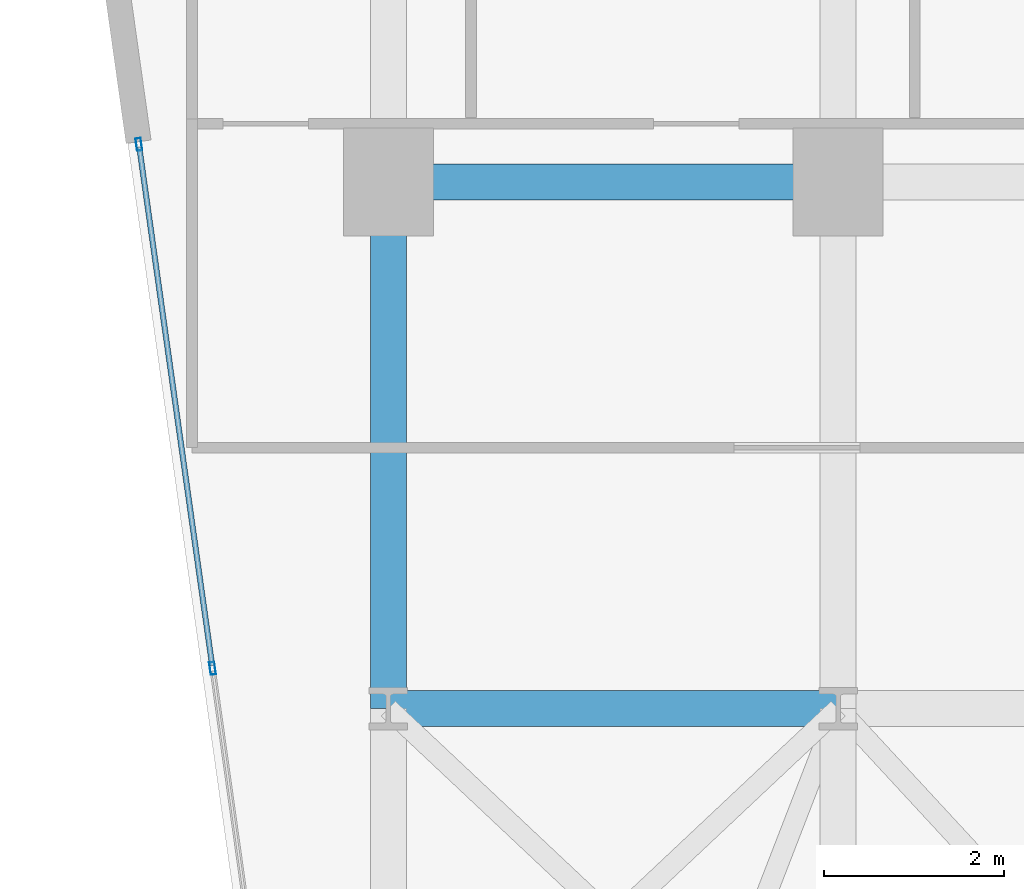
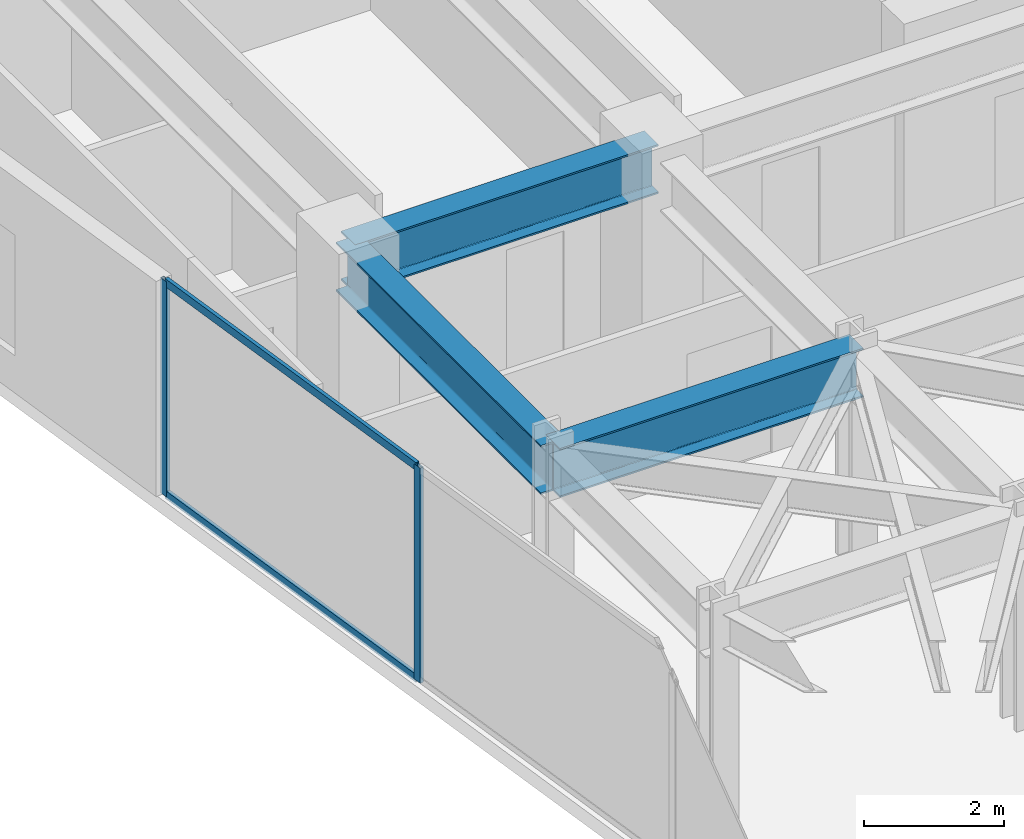
# One storey, part 11 of 26: 4 members, 3 beams, 1 element without a shape of its own.
"""IFC4 building model written with IfcOpenShell, lengths in metres."""

from ifc_helpers import new_model, si_unit, direction, frame, origin, origin_2d, place, context, subcontext, project, spatial, hollow_rectangle, i_section, extrude, material, layer, layer_set, material_profile, profile_set, type_object, element, aggregate, save


model = new_model("IFC4")

# Units and contexts
model_context = context("Model", 3, precision=1e-05, world=origin(), true_north=direction((0.0, 1.0)))
body_context = subcontext(model_context, "Body", "Model", "MODEL_VIEW")
ifc_project = project(units=[si_unit("LENGTHUNIT", "METRE"), si_unit("AREAUNIT", "SQUARE_METRE"), si_unit("VOLUMEUNIT", "CUBIC_METRE"), si_unit("PLANEANGLEUNIT", "RADIAN"), si_unit("MASSUNIT", "GRAM", prefix="KILO")], contexts=[model_context])

# Site, building, storey
site_placement = place(None, origin())
site = spatial("IfcSite", under=ifc_project, at=site_placement, CompositionType="ELEMENT")
building_placement = place(site_placement, origin())
building = spatial("IfcBuilding", under=site, at=building_placement, Name="Kravanh Interchange Tower", CompositionType="ELEMENT")
storey_placement = place(building_placement, frame((0.0, 0.0, 108.0)))
storey = spatial("IfcBuildingStorey", under=building, at=storey_placement, Name="L25", CompositionType="ELEMENT", Elevation=108.0)

# Curtain wall, members
ifc_material_1 = material(Name="Anodised Bronze Aluminium", Category="aluminium")
ifc_layer = layer(ifc_material_1, 0.179931640625)
ifc_layer_set = layer_set([ifc_layer], Name="Unitised Curtain Wall System CW-Z2 Mid Office")
curtain_wall_type = type_object("IfcCurtainWallType", Name="Unitised Curtain Wall System CW-Z2 Mid Office", PredefinedType="NOTDEFINED", material=ifc_layer_set)
curtain_wall_placement = place(storey_placement, origin())
curtain_wall = element("IfcCurtainWall", 1, at=curtain_wall_placement, inside=storey, type_object=curtain_wall_type, Name="L25 Unitised Curtain Wall CW-L25-01", PredefinedType="NOTDEFINED")
ifc_material_2 = material(Name="Anodised Bronze Aluminium", Category="aluminium")
ifc_material_profile_1 = material_profile(ifc_material_2, hollow_rectangle(XDim=0.06005859375, YDim=0.139892578125, WallThickness=0.00390625, at=origin_2d()), Name="ALU60X140X4")
ifc_profile_set_1 = profile_set([ifc_material_profile_1], Name="Anodised Bronze Aluminium")
member_type_1 = type_object("IfcMemberType", Name="Curtain Wall Mullion ALU60X140X4 Bronze", PredefinedType="MULLION", material=ifc_profile_set_1)
member_1_placement = place(storey_placement, frame((11.6474609375, 31.94775390625, 0.0), z_axis=(0.0, 0.0, 1.0), x_axis=(-0.990268103846, -0.13917285118, 0.0)))
member_1 = element("IfcMember", 2, at=member_1_placement, type_object=member_type_1, Name="CW-Z2 mullion 5", PredefinedType="MULLION", context=body_context, shape_type="SweptSolid", body=[
    extrude(hollow_rectangle(XDim=0.06005859375, YDim=0.139892578125, WallThickness=0.00390625, at=origin_2d()), origin(), (0.0, 0.0, 1.0), 3.75),
])
member_2_placement = place(storey_placement, frame((10.8291015625, 37.770263671875, 0.0), z_axis=(0.0, 0.0, 1.0), x_axis=(-0.990268103846, -0.13917285118, 0.0)))
member_2 = element("IfcMember", 3, at=member_2_placement, type_object=member_type_1, Name="CW-Z2 mullion 6", PredefinedType="MULLION", context=body_context, shape_type="SweptSolid", body=[
    extrude(hollow_rectangle(XDim=0.06005859375, YDim=0.139892578125, WallThickness=0.00390625, at=origin_2d()), origin(), (0.0, 0.0, 1.0), 3.75),
])
ifc_material_3 = material(Name="Anodised Bronze Aluminium", Category="aluminium")
ifc_material_profile_2 = material_profile(ifc_material_3, hollow_rectangle(XDim=0.06005859375, YDim=0.139892578125, WallThickness=0.00390625, at=origin_2d()), Name="ALU60X140X4")
ifc_profile_set_2 = profile_set([ifc_material_profile_2], Name="Anodised Bronze Aluminium")
member_type_2 = type_object("IfcMemberType", Name="Curtain Wall Transom ALU60X140X4 Bronze", PredefinedType="USERDEFINED", material=ifc_profile_set_2)
member_3_placement = place(storey_placement, frame((11.643310546875, 31.9775390625, 0.030029296875), z_axis=(-0.139195052528, 0.990264983402, 0.0), x_axis=(-0.990264983402, -0.139195052528, 0.0)))
member_3 = element("IfcMember", 4, at=member_3_placement, type_object=member_type_2, Name="CW-Z2 transom 5.1", ObjectType="TRANSOM", PredefinedType="USERDEFINED", context=body_context, shape_type="SweptSolid", body=[
    extrude(hollow_rectangle(XDim=0.06005859375, YDim=0.139892578125, WallThickness=0.00390625, at=origin_2d()), origin(), (0.0, 0.0, 1.0), 5.819580078125),
])
member_4_placement = place(storey_placement, frame((11.643310546875, 31.9775390625, 3.719970703125), z_axis=(-0.139195052528, 0.990264983402, 0.0), x_axis=(-0.990264983402, -0.139195052528, 0.0)))
member_4 = element("IfcMember", 5, at=member_4_placement, type_object=member_type_2, Name="CW-Z2 transom 5.2", ObjectType="TRANSOM", PredefinedType="USERDEFINED", context=body_context, shape_type="SweptSolid", body=[
    extrude(hollow_rectangle(XDim=0.06005859375, YDim=0.139892578125, WallThickness=0.00390625, at=origin_2d()), origin(), (0.0, 0.0, 1.0), 5.819580078125),
])
aggregate(curtain_wall, [member_1, member_2, member_3, member_4])

# Beams
ifc_material_4 = material(Name="Structural Steel S355", Category="steel")
ifc_material_profile_3 = material_profile(ifc_material_4, i_section(OverallWidth=0.39990234375, OverallDepth=0.85595703125, WebThickness=0.018310546875, FlangeThickness=0.029296875, FilletRadius=0.02490234375, at=origin_2d()), Name="W33X201")
ifc_profile_set_3 = profile_set([ifc_material_profile_3], Name="Structural Steel S355")
beam_type = type_object("IfcBeamType", Name="Floor Beam W33X201 Structural Steel S355", PredefinedType="BEAM", material=ifc_profile_set_3)
beam_1_placement = place(storey_placement, frame((18.60009765625, 37.35009765625, 3.322021484375), z_axis=(-1.0, 0.0, 0.0), x_axis=(0.0, -1.0, 0.0)))
element("IfcBeam", 6, at=beam_1_placement, inside=storey, type_object=beam_type, Name="L25 Primary Floor Girder 28", PredefinedType="BEAM", context=body_context, shape_type="SweptSolid", body=[
    extrude(i_section(OverallWidth=0.39990234375, OverallDepth=0.85595703125, WebThickness=0.018310546875, FlangeThickness=0.029296875, FilletRadius=0.02490234375, at=origin_2d()), origin(), (0.0, 0.0, 1.0), 5.0),
])
beam_2_placement = place(storey_placement, frame((13.60009765625, 37.35009765625, 3.322021484375), z_axis=(0.0, -1.0, 0.0), x_axis=(1.0, 0.0, 0.0)))
element("IfcBeam", 7, at=beam_2_placement, inside=storey, type_object=beam_type, Name="L25 Primary Floor Girder 32", PredefinedType="BEAM", context=body_context, shape_type="SweptSolid", body=[
    extrude(i_section(OverallWidth=0.39990234375, OverallDepth=0.85595703125, WebThickness=0.018310546875, FlangeThickness=0.029296875, FilletRadius=0.02490234375, at=origin_2d()), origin(), (0.0, 0.0, 1.0), 5.85009765625),
])
beam_3_placement = place(storey_placement, frame((13.60009765625, 31.5, 3.322021484375), z_axis=(1.0, 0.0, 0.0), x_axis=(0.0, 1.0, 0.0)))
element("IfcBeam", 8, at=beam_3_placement, inside=storey, type_object=beam_type, Name="L25 Primary Floor Girder 69", PredefinedType="BEAM", context=body_context, shape_type="SweptSolid", body=[
    extrude(i_section(OverallWidth=0.39990234375, OverallDepth=0.85595703125, WebThickness=0.018310546875, FlangeThickness=0.029296875, FilletRadius=0.02490234375, at=origin_2d()), origin(), (0.0, 0.0, 1.0), 5.0),
])

save(model, "model.ifc")
